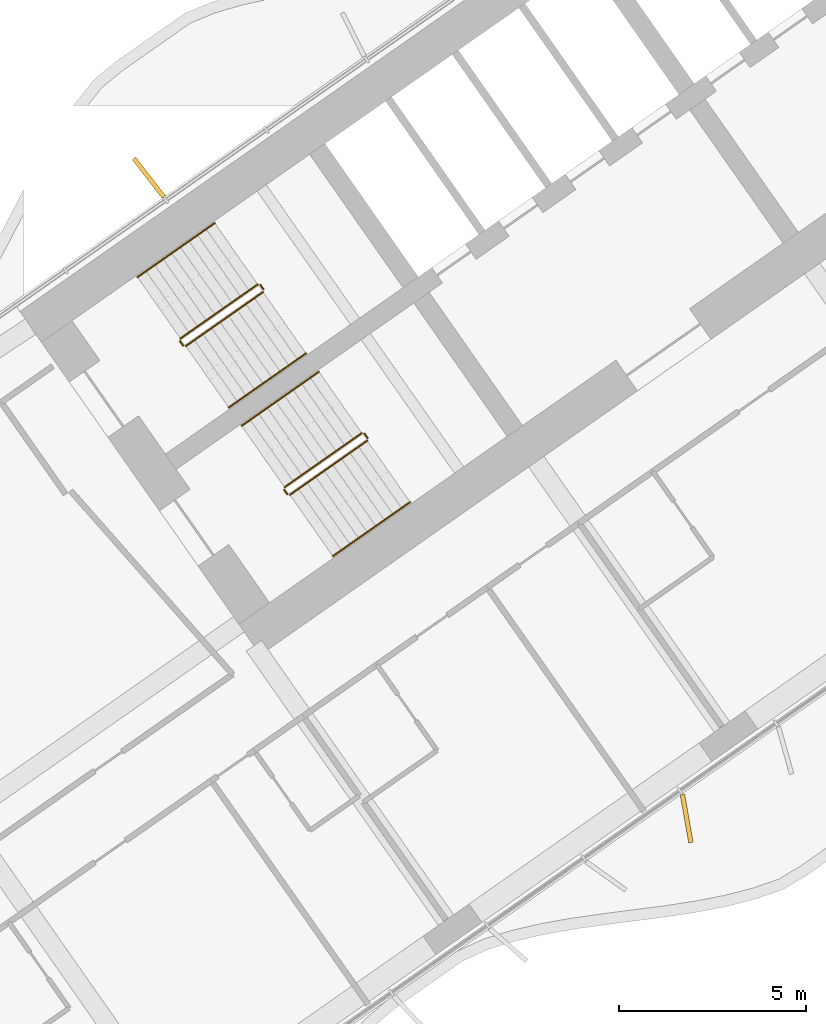
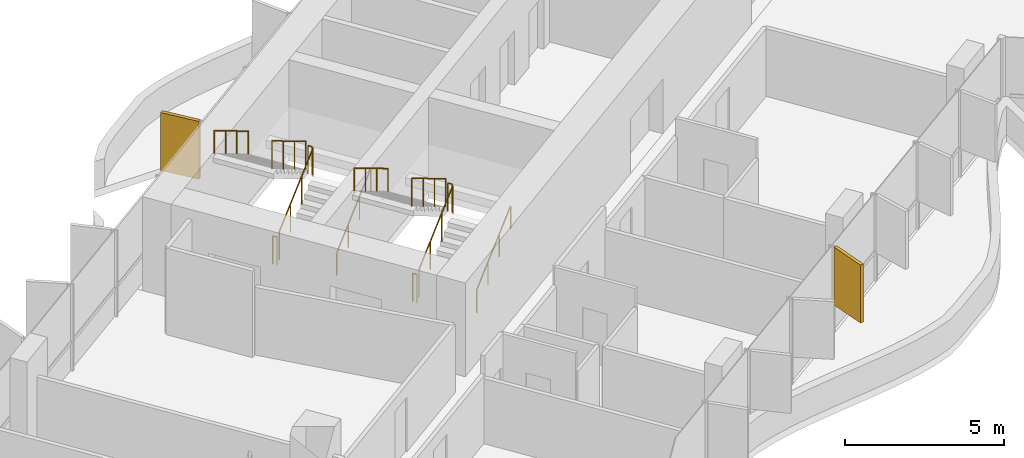
# One storey, part 20 of 24: 12 railings, 2 shading devices.
"""IFC4 building model written with IfcOpenShell, lengths in metres."""

from ifc_helpers import new_model, si_unit, direction, frame, origin, origin_2d, place, context, subcontext, project, spatial, rectangle, circle, extrude, material, layer, layer_set, type_object, element, save


model = new_model("IFC4")

# Units and contexts
model_context = context("Model", 3, precision=1e-05, world=origin(), true_north=direction((0.0, 1.0)))
body_context = subcontext(model_context, "Body", "Model", "MODEL_VIEW")
ifc_project = project(units=[si_unit("LENGTHUNIT", "METRE"), si_unit("AREAUNIT", "SQUARE_METRE"), si_unit("VOLUMEUNIT", "CUBIC_METRE"), si_unit("PLANEANGLEUNIT", "RADIAN"), si_unit("MASSUNIT", "GRAM", prefix="KILO")], contexts=[model_context])

# Site, building, storey
site_placement = place(None, origin())
site = spatial("IfcSite", under=ifc_project, at=site_placement, CompositionType="ELEMENT")
building_placement = place(site_placement, origin())
building = spatial("IfcBuilding", under=site, at=building_placement, Name="Tel Ilan Convention Tower", CompositionType="ELEMENT")
storey_placement = place(building_placement, frame((0.0, 0.0, 68.89990234375)))
storey = spatial("IfcBuildingStorey", under=building, at=storey_placement, Name="L12", CompositionType="ELEMENT", Elevation=68.89990234375)

# Shading devices
ifc_material_1 = material(Name="Aluminium, bronze anodised", Category="aluminium")
ifc_layer = layer(ifc_material_1, 0.1201171875)
ifc_layer_set = layer_set([ifc_layer], Name="FIN BRONZE 1300x120")
shading_device_type = type_object("IfcShadingDeviceType", Name="FIN BRONZE 1300x120", PredefinedType="USERDEFINED", material=ifc_layer_set)
for number, where, z_axis, x_axis, name in (
    (1, (-24.52197265625, -3.556884765625, 1.10009765625), (0.0, 0.0, 1.0), (-0.612600545196, 0.790392669516, 0.0), "FIN"),
    (2, (-10.152587890625, -20.676513671875, 1.10009765625), (0.0, 0.0, 1.0), (0.173648177667, -0.984807753012, 0.0), "FIN"),
):
    element("IfcShadingDevice", number, at=place(storey_placement, frame(where, z_axis=z_axis, x_axis=x_axis)), inside=storey, type_object=shading_device_type, Name=name, ObjectType="FIN", PredefinedType="USERDEFINED", context=body_context, shape_type="SweptSolid", body=[
        extrude(rectangle(XDim=1.300048828125, YDim=0.1201171875, at=origin_2d()), origin(), (0.0, 0.0, 1.0), 2.219970703125),
    ])

# Railings
ifc_material_2 = material(Name="Stainless Steel Grade 316", Category="steel")
railing_type_1 = type_object("IfcRailingType", Name="Stainless Steel Stair Guard 1100 mm", PredefinedType="GUARDRAIL", material=ifc_material_2)
railing_1_placement = place(storey_placement, frame((-23.535400390625, -8.056396484375, 0.18017578125)))
element("IfcRailing", 3, at=railing_1_placement, inside=storey, type_object=railing_type_1, Name="L12 S1 stair guard 1", PredefinedType="GUARDRAIL", context=body_context, shape_type="SweptSolid", body=[
    extrude(circle(Radius=0.02392578125, at=origin_2d()), frame((0.0, 0.0, 1.076171875), z_axis=(0.689043377453, 0.48253410265, 0.540721798865), x_axis=(-0.573624882958, 0.819118119475, 0.0)), (0.0, 0.0, 1.0), 2.995849609375),
    extrude(circle(Radius=0.02099609375, at=origin_2d()), origin(), (0.0, 0.0, 1.0), 1.052001953125),
    extrude(circle(Radius=0.02099609375, at=origin_2d()), frame((0.68798828125, 0.48193359375, 0.5400390625)), (0.0, 0.0, 1.0), 1.052001953125),
    extrude(circle(Radius=0.02099609375, at=origin_2d()), frame((1.376220703125, 0.963623046875, 1.079833984375)), (0.0, 0.0, 1.0), 1.052001953125),
    extrude(circle(Radius=0.02099609375, at=origin_2d()), frame((2.064208984375, 1.445556640625, 1.619873046875)), (0.0, 0.0, 1.0), 1.052001953125),
])
railing_2_placement = place(storey_placement, frame((-21.458984375, -6.541259765625, 1.800048828125)))
element("IfcRailing", 4, at=railing_2_placement, inside=storey, type_object=railing_type_1, Name="L12 S1 stair guard 2", PredefinedType="GUARDRAIL", context=body_context, shape_type="SweptSolid", body=[
    extrude(circle(Radius=0.02392578125, at=origin_2d()), frame((0.0, 0.0, 1.076171875), z_axis=(-0.573353020881, 0.819308436089, 0.0), x_axis=(-0.819308436089, -0.573353020881, 0.0)), (0.0, 0.0, 1.0), 0.14990234375),
    extrude(circle(Radius=0.02099609375, at=origin_2d()), origin(), (0.0, 0.0, 1.0), 1.052001953125),
    extrude(circle(Radius=0.02099609375, at=origin_2d()), frame((-0.0859375, 0.122802734375, 0.0)), (0.0, 0.0, 1.0), 1.052001953125),
])
railing_3_placement = place(storey_placement, frame((-21.614501953125, -6.406005859375, 1.97998046875)))
element("IfcRailing", 5, at=railing_3_placement, inside=storey, type_object=railing_type_1, Name="L12 S1 stair guard 3", PredefinedType="GUARDRAIL", context=body_context, shape_type="SweptSolid", body=[
    extrude(circle(Radius=0.02392578125, at=origin_2d()), frame((0.0, 0.0, 1.076171875), z_axis=(-0.689013013563, -0.482512838948, 0.540779462804), x_axis=(0.573624882958, -0.819118119475, 0.0)), (0.0, 0.0, 1.0), 2.995849609375),
    extrude(circle(Radius=0.02099609375, at=origin_2d()), origin(), (0.0, 0.0, 1.0), 1.052001953125),
    extrude(circle(Radius=0.02099609375, at=origin_2d()), frame((-0.68798828125, -0.48193359375, 0.5400390625)), (0.0, 0.0, 1.0), 1.052001953125),
    extrude(circle(Radius=0.02099609375, at=origin_2d()), frame((-1.376220703125, -0.963623046875, 1.080078125)), (0.0, 0.0, 1.0), 1.052001953125),
    extrude(circle(Radius=0.02099609375, at=origin_2d()), frame((-2.064208984375, -1.445556640625, 1.6201171875)), (0.0, 0.0, 1.0), 1.052001953125),
])
railing_4_placement = place(storey_placement, frame((-23.60498046875, -8.0439453125, 0.0)))
element("IfcRailing", 6, at=railing_4_placement, inside=storey, type_object=railing_type_1, Name="L12 S1 stair guard 4", PredefinedType="GUARDRAIL", context=body_context, shape_type="SweptSolid", body=[
    extrude(circle(Radius=0.02392578125, at=origin_2d()), frame((0.0, 0.0, 1.076171875), z_axis=(-0.574444878118, 0.818543268254, 0.0), x_axis=(-0.818543268254, -0.574444878118, 0.0)), (0.0, 0.0, 1.0), 0.150146484375),
    extrude(circle(Radius=0.02099609375, at=origin_2d()), origin(), (0.0, 0.0, 1.0), 1.052001953125),
    extrude(circle(Radius=0.02099609375, at=origin_2d()), frame((-0.086181640625, 0.122802734375, 0.0)), (0.0, 0.0, 1.0), 1.052001953125),
])
railing_5_placement = place(storey_placement, frame((-20.753662109375, -12.029296875, 0.18017578125)))
element("IfcRailing", 7, at=railing_5_placement, inside=storey, type_object=railing_type_1, Name="L12 S2 stair guard 1", PredefinedType="GUARDRAIL", context=body_context, shape_type="SweptSolid", body=[
    extrude(circle(Radius=0.02392578125, at=origin_2d()), frame((0.0, 0.0, 1.076171875), z_axis=(0.689086176785, 0.482507007183, 0.540691436018), x_axis=(-0.573579365141, 0.81914999352, 0.0)), (0.0, 0.0, 1.0), 2.995849609375),
    extrude(circle(Radius=0.02099609375, at=origin_2d()), origin(), (0.0, 0.0, 1.0), 1.052001953125),
    extrude(circle(Radius=0.02099609375, at=origin_2d()), frame((0.688232421875, 0.48193359375, 0.5400390625)), (0.0, 0.0, 1.0), 1.052001953125),
    extrude(circle(Radius=0.02099609375, at=origin_2d()), frame((1.376220703125, 0.963623046875, 1.079833984375)), (0.0, 0.0, 1.0), 1.052001953125),
    extrude(circle(Radius=0.02099609375, at=origin_2d()), frame((2.064453125, 1.445556640625, 1.619873046875)), (0.0, 0.0, 1.0), 1.052001953125),
])
railing_6_placement = place(storey_placement, frame((-18.677001953125, -10.51416015625, 1.800048828125)))
element("IfcRailing", 8, at=railing_6_placement, inside=storey, type_object=railing_type_1, Name="L12 S2 stair guard 2", PredefinedType="GUARDRAIL", context=body_context, shape_type="SweptSolid", body=[
    extrude(circle(Radius=0.02392578125, at=origin_2d()), frame((0.0, 0.0, 1.076171875), z_axis=(-0.573353020881, 0.819308436089, 0.0), x_axis=(-0.819308436089, -0.573353020881, 0.0)), (0.0, 0.0, 1.0), 0.14990234375),
    extrude(circle(Radius=0.02099609375, at=origin_2d()), origin(), (0.0, 0.0, 1.0), 1.052001953125),
    extrude(circle(Radius=0.02099609375, at=origin_2d()), frame((-0.0859375, 0.122802734375, 0.0)), (0.0, 0.0, 1.0), 1.052001953125),
])
railing_7_placement = place(storey_placement, frame((-18.832763671875, -10.37890625, 1.97998046875)))
element("IfcRailing", 9, at=railing_7_placement, inside=storey, type_object=railing_type_1, Name="L12 S2 stair guard 3", PredefinedType="GUARDRAIL", context=body_context, shape_type="SweptSolid", body=[
    extrude(circle(Radius=0.02392578125, at=origin_2d()), frame((0.0, 0.0, 1.076171875), z_axis=(-0.689013013563, -0.482512838948, 0.540779462804), x_axis=(0.573624882958, -0.819118119475, 0.0)), (0.0, 0.0, 1.0), 2.995849609375),
    extrude(circle(Radius=0.02099609375, at=origin_2d()), origin(), (0.0, 0.0, 1.0), 1.052001953125),
    extrude(circle(Radius=0.02099609375, at=origin_2d()), frame((-0.68798828125, -0.48193359375, 0.5400390625)), (0.0, 0.0, 1.0), 1.052001953125),
    extrude(circle(Radius=0.02099609375, at=origin_2d()), frame((-1.376220703125, -0.963623046875, 1.080078125)), (0.0, 0.0, 1.0), 1.052001953125),
    extrude(circle(Radius=0.02099609375, at=origin_2d()), frame((-2.064208984375, -1.445556640625, 1.6201171875)), (0.0, 0.0, 1.0), 1.052001953125),
])
railing_8_placement = place(storey_placement, frame((-20.8232421875, -12.016845703125, 0.0)))
element("IfcRailing", 10, at=railing_8_placement, inside=storey, type_object=railing_type_1, Name="L12 S2 stair guard 4", PredefinedType="GUARDRAIL", context=body_context, shape_type="SweptSolid", body=[
    extrude(circle(Radius=0.02392578125, at=origin_2d()), frame((0.0, 0.0, 1.076171875), z_axis=(-0.573353020881, 0.819308436089, 0.0), x_axis=(-0.819308436089, -0.573353020881, 0.0)), (0.0, 0.0, 1.0), 0.14990234375),
    extrude(circle(Radius=0.02099609375, at=origin_2d()), origin(), (0.0, 0.0, 1.0), 1.052001953125),
    extrude(circle(Radius=0.02099609375, at=origin_2d()), frame((-0.0859375, 0.122802734375, 0.0)), (0.0, 0.0, 1.0), 1.052001953125),
])
ifc_material_3 = material(Name="Stainless Steel Grade 316", Category="steel")
railing_type_2 = type_object("IfcRailingType", Name="Stainless Steel Stair Handrail 900 mm", PredefinedType="HANDRAIL", material=ifc_material_3)
railing_9_placement = place(storey_placement, frame((-22.38818359375, -9.694580078125, 0.18017578125)))
element("IfcRailing", 11, at=railing_9_placement, inside=storey, type_object=railing_type_2, Name="L12 S1 stair handrail 1", PredefinedType="HANDRAIL", context=body_context, shape_type="SweptSolid", body=[
    extrude(circle(Radius=0.02392578125, at=origin_2d()), frame((0.0, 0.0, 0.8759765625), z_axis=(0.68907047291, 0.482471578903, 0.540743061828), x_axis=(-0.573559875649, 0.819163639968, 0.0)), (0.0, 0.0, 1.0), 2.99560546875),
    extrude(circle(Radius=0.02099609375, at=origin_2d()), origin(), (0.0, 0.0, 1.0), 0.851806640625),
    extrude(circle(Radius=0.02099609375, at=origin_2d()), frame((0.68798828125, 0.481689453125, 0.5400390625)), (0.0, 0.0, 1.0), 0.851806640625),
    extrude(circle(Radius=0.02099609375, at=origin_2d()), frame((1.376220703125, 0.963623046875, 1.079833984375)), (0.0, 0.0, 1.0), 0.851806640625),
    extrude(circle(Radius=0.02099609375, at=origin_2d()), frame((2.064208984375, 1.4453125, 1.619873046875)), (0.0, 0.0, 1.0), 0.851806640625),
])
railing_10_placement = place(storey_placement, frame((-22.76171875, -4.767822265625, 1.97998046875)))
element("IfcRailing", 12, at=railing_10_placement, inside=storey, type_object=railing_type_2, Name="L12 S1 stair handrail 2", PredefinedType="HANDRAIL", context=body_context, shape_type="SweptSolid", body=[
    extrude(circle(Radius=0.02392578125, at=origin_2d()), frame((0.0, 0.0, 0.8759765625), z_axis=(-0.689040105437, -0.482450316285, 0.54080072616), x_axis=(0.573559875649, -0.819163639968, 0.0)), (0.0, 0.0, 1.0), 2.995849609375),
    extrude(circle(Radius=0.02099609375, at=origin_2d()), origin(), (0.0, 0.0, 1.0), 0.851806640625),
    extrude(circle(Radius=0.02099609375, at=origin_2d()), frame((-0.68798828125, -0.481689453125, 0.5400390625)), (0.0, 0.0, 1.0), 0.851806640625),
    extrude(circle(Radius=0.02099609375, at=origin_2d()), frame((-1.376220703125, -0.963623046875, 1.080078125)), (0.0, 0.0, 1.0), 0.851806640625),
    extrude(circle(Radius=0.02099609375, at=origin_2d()), frame((-2.064208984375, -1.4453125, 1.6201171875)), (0.0, 0.0, 1.0), 0.851806640625),
])
railing_11_placement = place(storey_placement, frame((-19.6064453125, -13.66748046875, 0.18017578125)))
element("IfcRailing", 13, at=railing_11_placement, inside=storey, type_object=railing_type_2, Name="L12 S2 stair handrail 1", PredefinedType="HANDRAIL", context=body_context, shape_type="SweptSolid", body=[
    extrude(circle(Radius=0.02392578125, at=origin_2d()), frame((0.0, 0.0, 0.8759765625), z_axis=(0.68907047291, 0.482471578903, 0.540743061828), x_axis=(-0.573559875649, 0.819163639968, 0.0)), (0.0, 0.0, 1.0), 2.99560546875),
    extrude(circle(Radius=0.02099609375, at=origin_2d()), origin(), (0.0, 0.0, 1.0), 0.851806640625),
    extrude(circle(Radius=0.02099609375, at=origin_2d()), frame((0.68798828125, 0.481689453125, 0.5400390625)), (0.0, 0.0, 1.0), 0.851806640625),
    extrude(circle(Radius=0.02099609375, at=origin_2d()), frame((1.376220703125, 0.963623046875, 1.079833984375)), (0.0, 0.0, 1.0), 0.851806640625),
    extrude(circle(Radius=0.02099609375, at=origin_2d()), frame((2.064208984375, 1.4453125, 1.619873046875)), (0.0, 0.0, 1.0), 0.851806640625),
])
railing_12_placement = place(storey_placement, frame((-19.979736328125, -8.74072265625, 1.97998046875)))
element("IfcRailing", 14, at=railing_12_placement, inside=storey, type_object=railing_type_2, Name="L12 S2 stair handrail 2", PredefinedType="HANDRAIL", context=body_context, shape_type="SweptSolid", body=[
    extrude(circle(Radius=0.02392578125, at=origin_2d()), frame((0.0, 0.0, 0.8759765625), z_axis=(-0.689082904933, -0.482423225781, 0.540770359169), x_axis=(0.573514357932, -0.81919550856, 0.0)), (0.0, 0.0, 1.0), 2.995849609375),
    extrude(circle(Radius=0.02099609375, at=origin_2d()), origin(), (0.0, 0.0, 1.0), 0.851806640625),
    extrude(circle(Radius=0.02099609375, at=origin_2d()), frame((-0.688232421875, -0.481689453125, 0.5400390625)), (0.0, 0.0, 1.0), 0.851806640625),
    extrude(circle(Radius=0.02099609375, at=origin_2d()), frame((-1.376220703125, -0.963623046875, 1.080078125)), (0.0, 0.0, 1.0), 0.851806640625),
    extrude(circle(Radius=0.02099609375, at=origin_2d()), frame((-2.064453125, -1.4453125, 1.6201171875)), (0.0, 0.0, 1.0), 0.851806640625),
])

save(model, "model.ifc")
